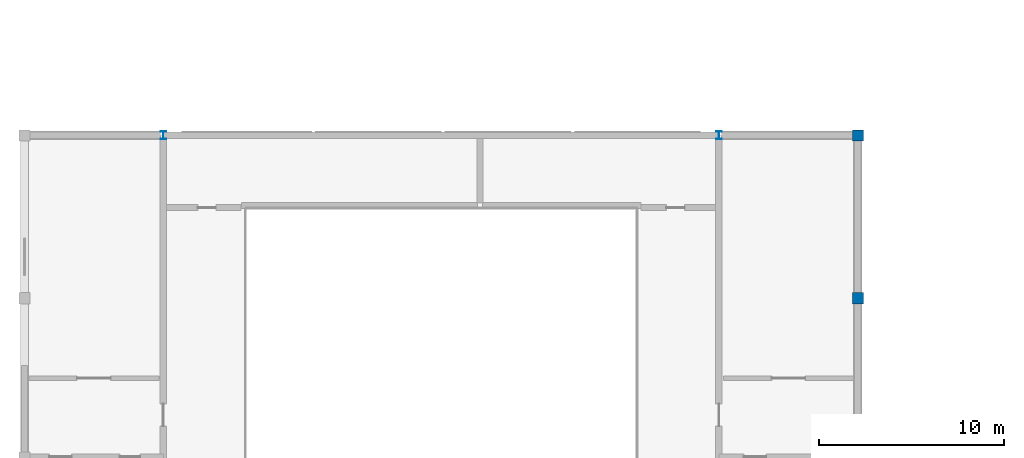
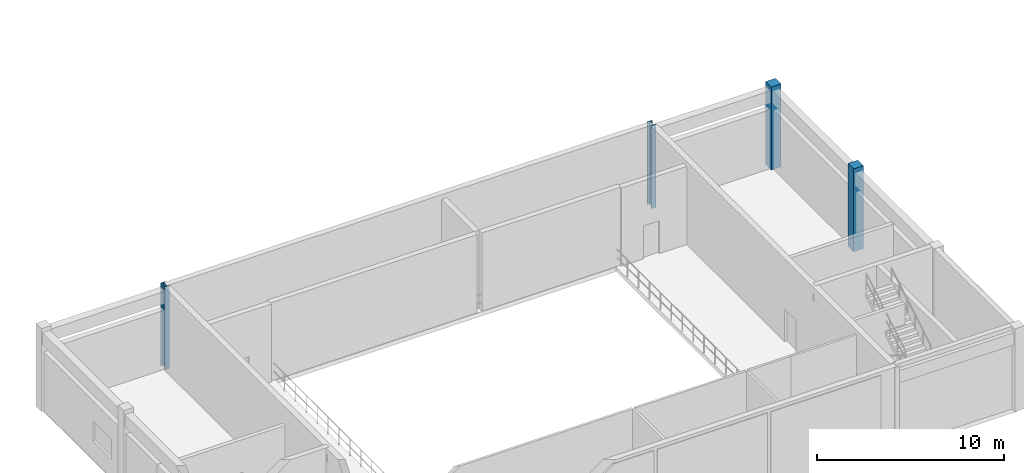
# One storey, part 5 of 38: 4 columns.
"""IFC4 building model written with IfcOpenShell, lengths in metres."""

from ifc_helpers import new_model, si_unit, direction, frame, origin, origin_2d, place, context, subcontext, project, spatial, rectangle, i_section, extrude, material, material_profile, profile_set, type_object, element, save


model = new_model("IFC4")

# Units and contexts
model_context = context("Model", 3, precision=1e-05, world=origin(), true_north=direction((0.0, 1.0)))
body_context = subcontext(model_context, "Body", "Model", "MODEL_VIEW")
ifc_project = project(units=[si_unit("LENGTHUNIT", "METRE"), si_unit("AREAUNIT", "SQUARE_METRE"), si_unit("VOLUMEUNIT", "CUBIC_METRE"), si_unit("PLANEANGLEUNIT", "RADIAN"), si_unit("MASSUNIT", "GRAM", prefix="KILO")], contexts=[model_context])

# Site, building, storey
site_placement = place(None, origin())
site = spatial("IfcSite", under=ifc_project, at=site_placement, CompositionType="ELEMENT")
building_placement = place(site_placement, origin())
building = spatial("IfcBuilding", under=site, at=building_placement, Name="Muzn Square Opera House", CompositionType="ELEMENT")
storey_placement = place(building_placement, frame((0.0, 0.0, 18.0)))
storey = spatial("IfcBuildingStorey", under=building, at=storey_placement, Name="L04", CompositionType="ELEMENT", Elevation=18.0)

# Columns
ifc_material_1 = material(Name="Concrete C45/55", Category="concrete")
ifc_material_profile_1 = material_profile(ifc_material_1, rectangle(XDim=0.60009765625, YDim=0.60009765625, at=origin_2d()), Name="RC 600x600", Category="concrete")
ifc_profile_set_1 = profile_set([ifc_material_profile_1], Name="Concrete C45/55")
column_type_1 = type_object("IfcColumnType", Name="Frame Column 600x600", PredefinedType="COLUMN", material=ifc_profile_set_1)
for number, where, z_axis, x_axis, name in (
    (1, (110.5, 89.800048828125, 0.0), (0.0, 0.0, 1.0), (1.0, 0.0, 0.0), "Column COL-L04-COL-600-1105_898"),
    (2, (110.5, 98.60009765625, 0.0), (0.0, 0.0, 1.0), (1.0, 0.0, 0.0), "Column COL-L04-COL-600-1105_986"),
):
    element("IfcColumn", number, at=place(storey_placement, frame(where, z_axis=z_axis, x_axis=x_axis)), inside=storey, type_object=column_type_1, Name=name, PredefinedType="COLUMN", context=body_context, shape_type="SweptSolid", body=[
        extrude(rectangle(XDim=0.60009765625, YDim=0.60009765625, at=origin_2d()), origin(), (0.0, 0.0, 1.0), 5.39990234375),
    ])
ifc_material_2 = material(Name="Steel S355", Category="steel")
ifc_material_profile_2 = material_profile(ifc_material_2, i_section(OverallWidth=0.300048828125, OverallDepth=0.449951171875, WebThickness=0.013916015625, FlangeThickness=0.02587890625, FilletRadius=0.027099609375, at=origin_2d()), Name="HEB 450", Category="steel")
ifc_profile_set_2 = profile_set([ifc_material_profile_2], Name="Steel S355")
column_type_2 = type_object("IfcColumnType", Name="Steel Gallery Column HEB450", PredefinedType="COLUMN", material=ifc_profile_set_2)
for number, where, z_axis, x_axis, name in (
    (3, (73.0, 98.60009765625, 0.0), (0.0, 0.0, 1.0), (1.0, 0.0, 0.0), "Column COL-L04-COL-HEB450-730_986"),
    (4, (103.0, 98.60009765625, 0.0), (0.0, 0.0, 1.0), (1.0, 0.0, 0.0), "Column COL-L04-COL-HEB450-1030_986"),
):
    element("IfcColumn", number, at=place(storey_placement, frame(where, z_axis=z_axis, x_axis=x_axis)), inside=storey, type_object=column_type_2, Name=name, PredefinedType="COLUMN", context=body_context, shape_type="SweptSolid", body=[
        extrude(i_section(OverallWidth=0.300048828125, OverallDepth=0.449951171875, WebThickness=0.013916015625, FlangeThickness=0.02587890625, FilletRadius=0.027099609375, at=origin_2d()), origin(), (0.0, 0.0, 1.0), 5.39990234375),
    ])

save(model, "model.ifc")
